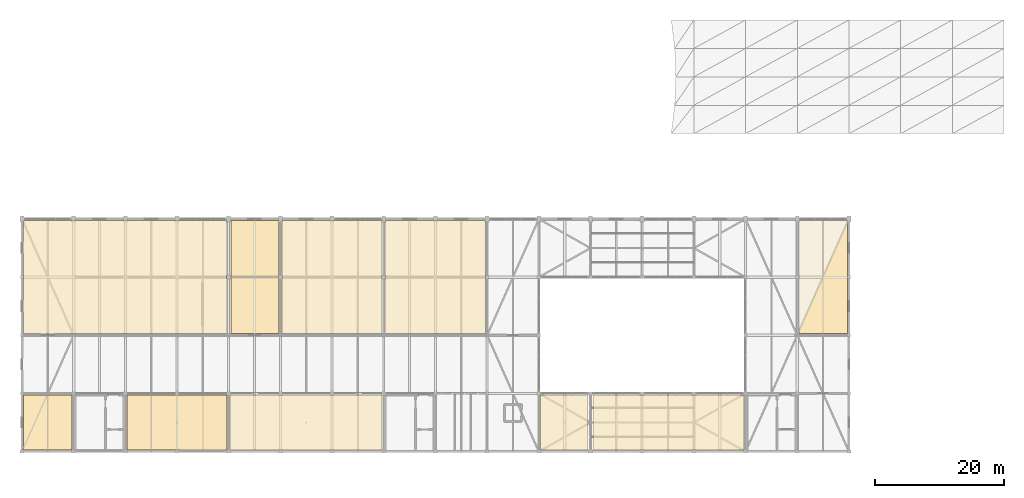
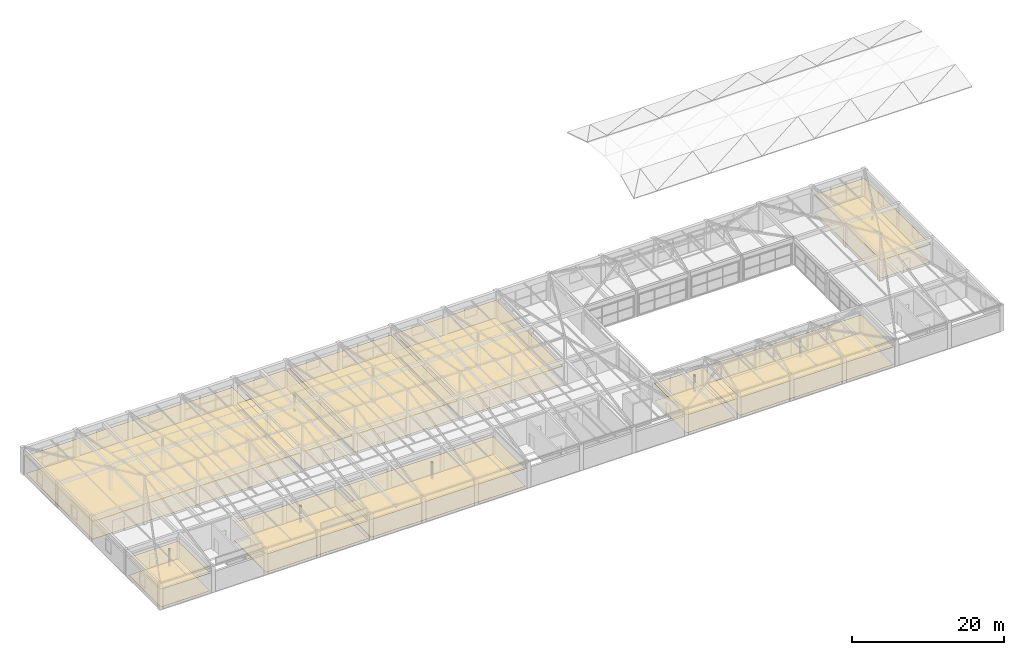
# One storey, part 65 of 65: 20 coverings.
"""IFC4 building model written with IfcOpenShell, lengths in metres."""

from ifc_helpers import new_model, si_unit, direction, frame, origin, place, context, subcontext, project, spatial, polyline, outline, extrude, material, layer, layer_set, type_object, element, save


model = new_model("IFC4")

# Units and contexts
model_context = context("Model", 3, precision=1e-05, world=origin(), true_north=direction((0.0, 1.0)))
body_context = subcontext(model_context, "Body", "Model", "MODEL_VIEW")
ifc_project = project(units=[si_unit("LENGTHUNIT", "METRE"), si_unit("AREAUNIT", "SQUARE_METRE"), si_unit("VOLUMEUNIT", "CUBIC_METRE"), si_unit("PLANEANGLEUNIT", "RADIAN"), si_unit("MASSUNIT", "GRAM", prefix="KILO")], contexts=[model_context])

# Site, building, storey
site_placement = place(None, origin())
site = spatial("IfcSite", under=ifc_project, at=site_placement, CompositionType="ELEMENT")
building_placement = place(site_placement, origin())
building = spatial("IfcBuilding", under=site, at=building_placement, Name="Varnabhumi Central Station", CompositionType="ELEMENT")
storey_placement = place(building_placement, frame((0.0, 0.0, 24.60009765625)))
storey = spatial("IfcBuildingStorey", under=building, at=storey_placement, Name="L05", CompositionType="ELEMENT", Elevation=24.60009765625)

# Coverings
ifc_material_1 = material(Name="Mineral-fibre acoustic tile")
ifc_layer_1 = layer(ifc_material_1, 0.02490234375, Name="Mineral-fibre acoustic tile")
ifc_layer_set_1 = layer_set([ifc_layer_1], Name="Mineral-fibre acoustic tile")
covering_type_1 = type_object("IfcCoveringType", Name="COV-CEIL-ACOUSTIC", PredefinedType="CEILING", material=ifc_layer_set_1)
covering_1_placement = place(storey_placement, frame((0.0, 0.0, 2.869873046875)))
element("IfcCovering", 1, at=covering_1_placement, inside=storey, type_object=covering_type_1, Name="Railway Staff Canteen and Dining Hall Acoustic Ceiling", PredefinedType="CEILING", context=body_context, shape_type="SweptSolid", body=[
    extrude(outline(polyline([(32.25, 18.25), (63.64990234375, 18.25), (63.64990234375, 35.75), (32.25, 35.75), (32.25, 18.25)])), origin(), (0.0, 0.0, 1.0), 0.025146484375),
])
covering_2_placement = place(storey_placement, frame((0.0, 0.0, 2.869873046875)))
element("IfcCovering", 2, at=covering_2_placement, inside=storey, type_object=covering_type_1, Name="Railway Staff Canteen and Dining Hall Acoustic Ceiling", PredefinedType="CEILING", context=body_context, shape_type="SweptSolid", body=[
    extrude(outline(polyline([(64.35009765625, 18.25), (71.75, 18.25), (71.75, 35.75), (64.35009765625, 35.75), (64.35009765625, 18.25)])), origin(), (0.0, 0.0, 1.0), 0.025146484375),
])
covering_3_placement = place(storey_placement, frame((0.0, 0.0, 2.869873046875)))
element("IfcCovering", 3, at=covering_3_placement, inside=storey, type_object=covering_type_1, Name="Running Crew Recreation Room Acoustic Ceiling", PredefinedType="CEILING", context=body_context, shape_type="SweptSolid", body=[
    extrude(outline(polyline([(32.25, 0.25), (39.75, 0.25), (39.75, 8.75), (32.25, 8.75), (32.25, 0.25)])), origin(), (0.0, 0.0, 1.0), 0.025146484375),
])
covering_4_placement = place(storey_placement, frame((0.0, 0.0, 2.869873046875)))
element("IfcCovering", 4, at=covering_4_placement, inside=storey, type_object=covering_type_1, Name="Locomotive and Guard Crew Sign-On Office Acoustic Ceiling", PredefinedType="CEILING", context=body_context, shape_type="SweptSolid", body=[
    extrude(outline(polyline([(72.25, 18.25), (87.75, 18.25), (87.75, 35.75), (72.25, 35.75), (72.25, 18.25)])), origin(), (0.0, 0.0, 1.0), 0.025146484375),
])
covering_5_placement = place(storey_placement, frame((0.0, 0.0, 2.869873046875)))
element("IfcCovering", 5, at=covering_5_placement, inside=storey, type_object=covering_type_1, Name="Running Staff Quiet Rest Room Central Acoustic Ceiling", PredefinedType="CEILING", context=body_context, shape_type="SweptSolid", body=[
    extrude(outline(polyline([(88.25, 18.25), (103.75, 18.25), (103.75, 35.75), (88.25, 35.75), (88.25, 18.25)])), origin(), (0.0, 0.0, 1.0), 0.025146484375),
])
covering_6_placement = place(storey_placement, frame((0.0, 0.0, 2.869873046875)))
element("IfcCovering", 6, at=covering_6_placement, inside=storey, type_object=covering_type_1, Name="Staff Canteen Server and Pantry Acoustic Ceiling", PredefinedType="CEILING", context=body_context, shape_type="SweptSolid", body=[
    extrude(outline(polyline([(48.25, 0.25), (63.75, 0.25), (63.75, 8.75), (48.25, 8.75), (48.25, 0.25)])), origin(), (0.0, 0.0, 1.0), 0.025146484375),
])
covering_7_placement = place(storey_placement, frame((0.0, 0.0, 2.869873046875)))
element("IfcCovering", 7, at=covering_7_placement, inside=storey, type_object=covering_type_1, Name="Male Train Crew Locker and Shower Room Acoustic Ceiling", PredefinedType="CEILING", context=body_context, shape_type="SweptSolid", body=[
    extrude(outline(polyline([(64.25, 0.25), (87.75, 0.25), (87.75, 8.75), (64.25, 8.75), (64.25, 0.25)])), origin(), (0.0, 0.0, 1.0), 0.025146484375),
])
covering_8_placement = place(storey_placement, frame((0.0, 0.0, 2.869873046875)))
element("IfcCovering", 8, at=covering_8_placement, inside=storey, type_object=covering_type_1, Name="Female Train Crew Locker and Rest Room Acoustic Ceiling", PredefinedType="CEILING", context=body_context, shape_type="SweptSolid", body=[
    extrude(outline(polyline([(112.25, 0.25), (119.64990234375, 0.25), (119.64990234375, 8.75), (112.25, 8.75), (112.25, 0.25)])), origin(), (0.0, 0.0, 1.0), 0.025146484375),
])
covering_9_placement = place(storey_placement, frame((0.0, 0.0, 2.869873046875)))
element("IfcCovering", 9, at=covering_9_placement, inside=storey, type_object=covering_type_1, Name="Female Train Crew Locker and Rest Room Acoustic Ceiling", PredefinedType="CEILING", context=body_context, shape_type="SweptSolid", body=[
    extrude(outline(polyline([(120.35009765625, 0.25), (143.75, 0.25), (143.75, 8.75), (120.35009765625, 8.75), (120.35009765625, 0.25)])), origin(), (0.0, 0.0, 1.0), 0.025146484375),
])
covering_10_placement = place(storey_placement, frame((0.0, 0.0, 2.869873046875)))
element("IfcCovering", 10, at=covering_10_placement, inside=storey, type_object=covering_type_1, Name="Running Staff Quiet Rest Lounge East Acoustic Ceiling", PredefinedType="CEILING", context=body_context, shape_type="SweptSolid", body=[
    extrude(outline(polyline([(152.25, 18.25), (159.75, 18.25), (159.75, 35.75), (152.25, 35.75), (152.25, 18.25)])), origin(), (0.0, 0.0, 1.0), 0.025146484375),
])
ifc_material_2 = material(Name="Vitrified granite stone flooring", Category="masonry")
ifc_layer_2 = layer(ifc_material_2, 0.030029296875, Name="Vitrified granite stone flooring", Category="masonry")
ifc_layer_set_2 = layer_set([ifc_layer_2], Name="Vitrified granite stone flooring")
covering_type_2 = type_object("IfcCoveringType", Name="COV-FLOR-GRANITE", PredefinedType="FLOORING", material=ifc_layer_set_2)
covering_11_placement = place(storey_placement, origin())
element("IfcCovering", 11, at=covering_11_placement, inside=storey, type_object=covering_type_2, Name="Railway Staff Canteen and Dining Hall Granite Flooring", PredefinedType="FLOORING", context=body_context, shape_type="SweptSolid", body=[
    extrude(outline(polyline([(32.25, 18.25), (63.64990234375, 18.25), (63.64990234375, 35.75), (32.25, 35.75), (32.25, 18.25)])), origin(), (0.0, 0.0, 1.0), 0.02978515625),
])
covering_12_placement = place(storey_placement, origin())
element("IfcCovering", 12, at=covering_12_placement, inside=storey, type_object=covering_type_2, Name="Railway Staff Canteen and Dining Hall Granite Flooring", PredefinedType="FLOORING", context=body_context, shape_type="SweptSolid", body=[
    extrude(outline(polyline([(64.35009765625, 18.25), (71.75, 18.25), (71.75, 35.75), (64.35009765625, 35.75), (64.35009765625, 18.25)])), origin(), (0.0, 0.0, 1.0), 0.02978515625),
])
covering_13_placement = place(storey_placement, origin())
element("IfcCovering", 13, at=covering_13_placement, inside=storey, type_object=covering_type_2, Name="Running Crew Recreation Room Granite Flooring", PredefinedType="FLOORING", context=body_context, shape_type="SweptSolid", body=[
    extrude(outline(polyline([(32.25, 0.25), (39.75, 0.25), (39.75, 8.75), (32.25, 8.75), (32.25, 0.25)])), origin(), (0.0, 0.0, 1.0), 0.02978515625),
])
covering_14_placement = place(storey_placement, origin())
element("IfcCovering", 14, at=covering_14_placement, inside=storey, type_object=covering_type_2, Name="Locomotive and Guard Crew Sign-On Office Granite Flooring", PredefinedType="FLOORING", context=body_context, shape_type="SweptSolid", body=[
    extrude(outline(polyline([(72.25, 18.25), (87.75, 18.25), (87.75, 35.75), (72.25, 35.75), (72.25, 18.25)])), origin(), (0.0, 0.0, 1.0), 0.02978515625),
])
covering_15_placement = place(storey_placement, origin())
element("IfcCovering", 15, at=covering_15_placement, inside=storey, type_object=covering_type_2, Name="Running Staff Quiet Rest Room Central Granite Flooring", PredefinedType="FLOORING", context=body_context, shape_type="SweptSolid", body=[
    extrude(outline(polyline([(88.25, 18.25), (103.75, 18.25), (103.75, 35.75), (88.25, 35.75), (88.25, 18.25)])), origin(), (0.0, 0.0, 1.0), 0.02978515625),
])
covering_16_placement = place(storey_placement, origin())
element("IfcCovering", 16, at=covering_16_placement, inside=storey, type_object=covering_type_2, Name="Staff Canteen Server and Pantry Granite Flooring", PredefinedType="FLOORING", context=body_context, shape_type="SweptSolid", body=[
    extrude(outline(polyline([(48.25, 0.25), (63.75, 0.25), (63.75, 8.75), (48.25, 8.75), (48.25, 0.25)])), origin(), (0.0, 0.0, 1.0), 0.02978515625),
])
covering_17_placement = place(storey_placement, origin())
element("IfcCovering", 17, at=covering_17_placement, inside=storey, type_object=covering_type_2, Name="Male Train Crew Locker and Shower Room Granite Flooring", PredefinedType="FLOORING", context=body_context, shape_type="SweptSolid", body=[
    extrude(outline(polyline([(64.25, 0.25), (87.75, 0.25), (87.75, 8.75), (64.25, 8.75), (64.25, 0.25)])), origin(), (0.0, 0.0, 1.0), 0.02978515625),
])
covering_18_placement = place(storey_placement, origin())
element("IfcCovering", 18, at=covering_18_placement, inside=storey, type_object=covering_type_2, Name="Female Train Crew Locker and Rest Room Granite Flooring", PredefinedType="FLOORING", context=body_context, shape_type="SweptSolid", body=[
    extrude(outline(polyline([(112.25, 0.25), (119.64990234375, 0.25), (119.64990234375, 8.75), (112.25, 8.75), (112.25, 0.25)])), origin(), (0.0, 0.0, 1.0), 0.02978515625),
])
covering_19_placement = place(storey_placement, origin())
element("IfcCovering", 19, at=covering_19_placement, inside=storey, type_object=covering_type_2, Name="Female Train Crew Locker and Rest Room Granite Flooring", PredefinedType="FLOORING", context=body_context, shape_type="SweptSolid", body=[
    extrude(outline(polyline([(120.35009765625, 0.25), (143.75, 0.25), (143.75, 8.75), (120.35009765625, 8.75), (120.35009765625, 0.25)])), origin(), (0.0, 0.0, 1.0), 0.02978515625),
])
covering_20_placement = place(storey_placement, origin())
element("IfcCovering", 20, at=covering_20_placement, inside=storey, type_object=covering_type_2, Name="Running Staff Quiet Rest Lounge East Granite Flooring", PredefinedType="FLOORING", context=body_context, shape_type="SweptSolid", body=[
    extrude(outline(polyline([(152.25, 18.25), (159.75, 18.25), (159.75, 35.75), (152.25, 35.75), (152.25, 18.25)])), origin(), (0.0, 0.0, 1.0), 0.02978515625),
])

save(model, "model.ifc")
